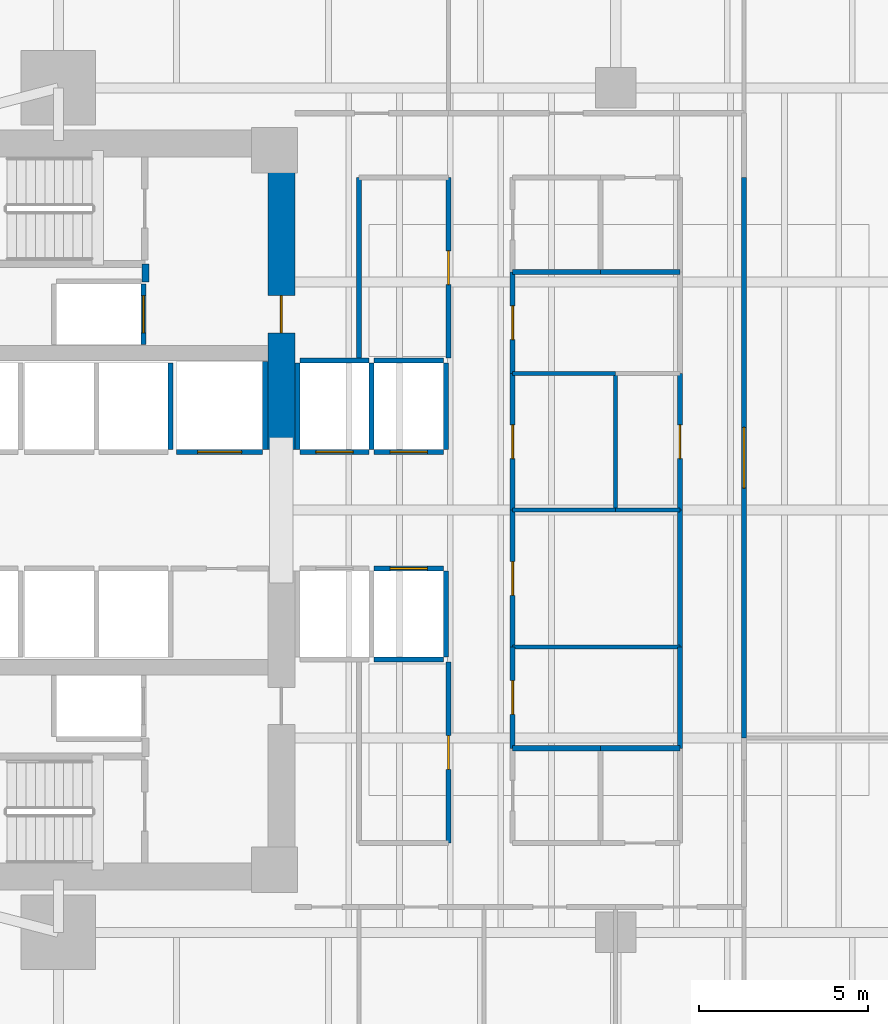
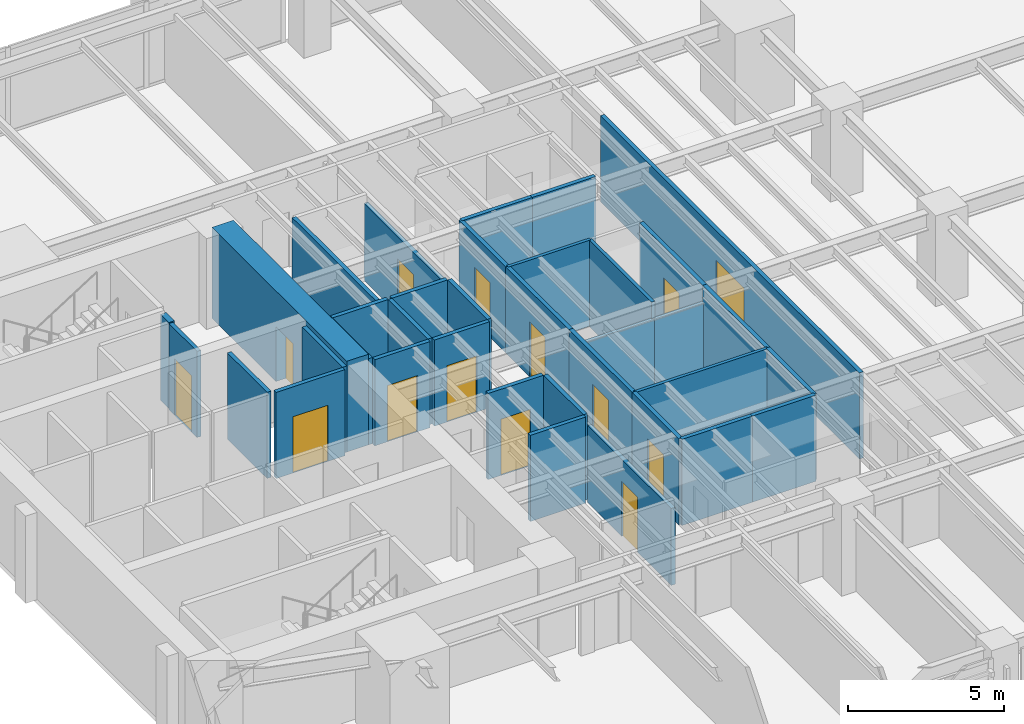
# One storey, part 9 of 15: 36 walls, 14 doors, 14 openings.
"""IFC4 building model written with IfcOpenShell, lengths in metres."""

from ifc_helpers import new_model, si_unit, direction, frame, frame_2d, origin, place, context, subcontext, project, spatial, rectangle, extrude, material, layer, layer_set, type_object, element, fill, save


model = new_model("IFC4")

# Units and contexts
model_context = context("Model", 3, precision=1e-05, world=origin(), true_north=direction((0.0, 1.0)))
body_context = subcontext(model_context, "Body", "Model", "MODEL_VIEW")
ifc_project = project(units=[si_unit("LENGTHUNIT", "METRE"), si_unit("AREAUNIT", "SQUARE_METRE"), si_unit("VOLUMEUNIT", "CUBIC_METRE"), si_unit("PLANEANGLEUNIT", "RADIAN"), si_unit("MASSUNIT", "GRAM", prefix="KILO")], contexts=[model_context])

# Site, building, storey
site_placement = place(None, origin())
site = spatial("IfcSite", under=ifc_project, at=site_placement, CompositionType="ELEMENT")
building_placement = place(site_placement, origin())
building = spatial("IfcBuilding", under=site, at=building_placement, Name="Kinhvarn Gate Tower", CompositionType="ELEMENT")
storey_placement = place(building_placement, frame((0.0, 0.0, 85.949951171875)))
storey = spatial("IfcBuildingStorey", under=building, at=storey_placement, Name="L22", CompositionType="ELEMENT", Elevation=85.949951171875)

# Wall, opening, door
ifc_material_1 = material(Name="Concrete C70/85", Category="concrete")
ifc_layer_1 = layer(ifc_material_1, 0.800048828125)
ifc_layer_set_1 = layer_set([ifc_layer_1], Name="Concrete C70/85")
wall_type_1 = type_object("IfcWallType", Name="WL-CORE-800", PredefinedType="SHEAR", material=ifc_layer_set_1)
wall_1_placement = place(storey_placement, frame((17.60009765625, 27.050048828125, 0.0), z_axis=(0.0, 0.0, 1.0), x_axis=(0.0, 1.0, 0.0)))
wall_1 = element("IfcWall", 1, at=wall_1_placement, inside=storey, type_object=wall_type_1, Name="Core East-North Shear Pier L22 800 mm", PredefinedType="SHEAR", context=body_context, shape_type="SweptSolid", body=[
    extrude(rectangle(XDim=8.64990234375, YDim=0.800048828125, at=frame_2d((4.324951171875, 0.0))), origin(), (0.0, 0.0, 1.0), 3.550048828125),
])
opening_1_placement = place(wall_1_placement, frame((3.449951171875, 0.0, 0.0)))
opening_1 = element("IfcOpeningElement", 2, at=opening_1_placement, cuts=wall_1, Name="Opening FD-02", PredefinedType="OPENING", context=body_context, shape_type="SweptSolid", body=[
    extrude(rectangle(XDim=1.10009765625, YDim=2.14990234375, at=frame_2d((0.550048828125, 1.074951171875))), frame((0.0, 0.41015625, 0.0), z_axis=(0.0, -1.0, 0.0), x_axis=(1.0, 0.0, 0.0)), (0.0, 0.0, 1.0), 0.820068359375),
])
ifc_material_2 = material(Name="Anodised aluminium AW-6063", Category="aluminium")
door_type_1 = type_object("IfcDoorType", Name="DR-FD-1100", OperationType="NOTDEFINED", PredefinedType="DOOR", material=ifc_material_2)
door_1_placement = place(opening_1_placement, origin())
door_1 = element("IfcDoor", 3, at=door_1_placement, inside=storey, type_object=door_type_1, Name="Firefighting Lobby Core Door (L22)", OperationType="SINGLE_SWING_LEFT", OverallHeight=2.14990234375, OverallWidth=1.10009765625, PredefinedType="DOOR", context=body_context, shape_type="SweptSolid", body=[
    extrude(rectangle(XDim=1.10009765625, YDim=2.14990234375, at=frame_2d((0.550048828125, 1.074951171875))), frame((0.0, 0.02490234375, 0.0), z_axis=(0.0, -1.0, 0.0), x_axis=(1.0, 0.0, 0.0)), (0.0, 0.0, 1.0), 0.050048828125),
])
fill(opening_1, door_1)

# Walls
ifc_material_3 = material(Name="Gypsum acoustic partition board")
ifc_layer_2 = layer(ifc_material_3, 0.14990234375)
ifc_layer_set_2 = layer_set([ifc_layer_2], Name="Gypsum acoustic partition board")
wall_type_2 = type_object("IfcWallType", Name="WL-PLM-150", PredefinedType="PLUMBINGWALL", material=ifc_layer_set_2)
wall_2_placement = place(storey_placement, frame((24.449951171875, 18.199951171875, 0.0), z_axis=(0.0, 0.0, 1.0), x_axis=(1.0, 0.0, 0.0)))
element("IfcWall", 4, at=wall_2_placement, inside=storey, type_object=wall_type_2, Name="Interior Partition PLW-150 (L22)", PredefinedType="PLUMBINGWALL", context=body_context, shape_type="SweptSolid", body=[
    extrude(rectangle(XDim=2.60009765625, YDim=0.14990234375, at=frame_2d((1.300048828125, 0.0))), origin(), (0.0, 0.0, 1.0), 3.3701171875),
])
wall_3_placement = place(storey_placement, frame((27.050048828125, 18.199951171875, 0.0), z_axis=(0.0, 0.0, 1.0), x_axis=(1.0, 0.0, 0.0)))
element("IfcWall", 5, at=wall_3_placement, inside=storey, type_object=wall_type_2, Name="Interior Partition PLW-150 (L22)", PredefinedType="PLUMBINGWALL", context=body_context, shape_type="SweptSolid", body=[
    extrude(rectangle(XDim=2.349853515625, YDim=0.14990234375, at=frame_2d((1.1748046875, 0.0))), origin(), (0.0, 0.0, 1.0), 3.3701171875),
])
wall_4_placement = place(storey_placement, frame((24.449951171875, 32.300048828125, 0.0), z_axis=(0.0, 0.0, 1.0), x_axis=(1.0, 0.0, 0.0)))
element("IfcWall", 6, at=wall_4_placement, inside=storey, type_object=wall_type_2, Name="Interior Partition PLW-150 (L22)", PredefinedType="PLUMBINGWALL", context=body_context, shape_type="SweptSolid", body=[
    extrude(rectangle(XDim=2.60009765625, YDim=0.14990234375, at=frame_2d((1.300048828125, 0.0))), origin(), (0.0, 0.0, 1.0), 3.3701171875),
])
wall_5_placement = place(storey_placement, frame((27.050048828125, 32.300048828125, 0.0), z_axis=(0.0, 0.0, 1.0), x_axis=(1.0, 0.0, 0.0)))
element("IfcWall", 7, at=wall_5_placement, inside=storey, type_object=wall_type_2, Name="Interior Partition PLW-150 (L22)", PredefinedType="PLUMBINGWALL", context=body_context, shape_type="SweptSolid", body=[
    extrude(rectangle(XDim=2.349853515625, YDim=0.14990234375, at=frame_2d((1.1748046875, 0.0))), origin(), (0.0, 0.0, 1.0), 3.3701171875),
])
ifc_layer_3 = layer(ifc_material_3, 0.1201171875)
ifc_layer_set_3 = layer_set([ifc_layer_3], Name="Gypsum acoustic partition board")
wall_type_3 = type_object("IfcWallType", Name="WL-PRT-120", PredefinedType="PARTITIONING", material=ifc_layer_set_3)
wall_6_placement = place(storey_placement, frame((24.449951171875, 21.199951171875, 0.0), z_axis=(0.0, 0.0, 1.0), x_axis=(1.0, 0.0, 0.0)))
element("IfcWall", 8, at=wall_6_placement, inside=storey, type_object=wall_type_3, Name="Interior Partition PW-120 (L22)", PredefinedType="PARTITIONING", context=body_context, shape_type="SweptSolid", body=[
    extrude(rectangle(XDim=4.949951171875, YDim=0.1201171875, at=frame_2d((2.47509765625, 0.0))), origin(), (0.0, 0.0, 1.0), 3.3701171875),
])
wall_7_placement = place(storey_placement, frame((24.449951171875, 29.300048828125, 0.0), z_axis=(0.0, 0.0, 1.0), x_axis=(1.0, 0.0, 0.0)))
element("IfcWall", 9, at=wall_7_placement, inside=storey, type_object=wall_type_3, Name="Interior Partition PW-120 (L22)", PredefinedType="PARTITIONING", context=body_context, shape_type="SweptSolid", body=[
    extrude(rectangle(XDim=3.050048828125, YDim=0.1201171875, at=frame_2d((1.52490234375, 0.0))), origin(), (0.0, 0.0, 1.0), 3.3701171875),
])
wall_8_placement = place(storey_placement, frame((24.449951171875, 25.25, 0.0), z_axis=(0.0, 0.0, 1.0), x_axis=(1.0, 0.0, 0.0)))
element("IfcWall", 10, at=wall_8_placement, inside=storey, type_object=wall_type_3, Name="Interior Partition PW-120 (L22)", PredefinedType="PARTITIONING", context=body_context, shape_type="SweptSolid", body=[
    extrude(rectangle(XDim=3.050048828125, YDim=0.1201171875, at=frame_2d((1.52490234375, 0.0))), origin(), (0.0, 0.0, 1.0), 2.719970703125),
])
wall_9_placement = place(storey_placement, frame((27.5, 25.25, 0.0), z_axis=(0.0, 0.0, 1.0), x_axis=(1.0, 0.0, 0.0)))
element("IfcWall", 11, at=wall_9_placement, inside=storey, type_object=wall_type_3, Name="Interior Partition PW-120 (L22)", PredefinedType="PARTITIONING", context=body_context, shape_type="SweptSolid", body=[
    extrude(rectangle(XDim=1.89990234375, YDim=0.1201171875, at=frame_2d((0.949951171875, 0.0))), origin(), (0.0, 0.0, 1.0), 2.719970703125),
])
wall_10_placement = place(storey_placement, frame((27.5, 25.25, 0.0), z_axis=(0.0, 0.0, 1.0), x_axis=(0.0, 1.0, 0.0)))
element("IfcWall", 12, at=wall_10_placement, inside=storey, type_object=wall_type_3, Name="Interior Partition PW-120 (L22)", PredefinedType="PARTITIONING", context=body_context, shape_type="SweptSolid", body=[
    extrude(rectangle(XDim=4.050048828125, YDim=0.1201171875, at=frame_2d((2.02490234375, 0.0))), origin(), (0.0, 0.0, 1.0), 3.3701171875),
])

# Wall, opening, door
ifc_layer_4 = layer(ifc_material_3, 0.14990234375)
ifc_layer_set_4 = layer_set([ifc_layer_4], Name="Gypsum acoustic partition board")
wall_type_4 = type_object("IfcWallType", Name="WL-PRT-150F", PredefinedType="PARTITIONING", material=ifc_layer_set_4)
wall_11_placement = place(storey_placement, frame((22.550048828125, 15.39990234375, 0.0), z_axis=(0.0, 0.0, 1.0), x_axis=(0.0, 1.0, 0.0)))
wall_11 = element("IfcWall", 13, at=wall_11_placement, inside=storey, type_object=wall_type_4, Name="Interior Partition PW-150F (L22)", PredefinedType="PARTITIONING", context=body_context, shape_type="SweptSolid", body=[
    extrude(rectangle(XDim=5.35009765625, YDim=0.14990234375, at=frame_2d((2.675048828125, 0.0))), origin(), (0.0, 0.0, 1.0), 3.010009765625),
])
opening_2_placement = place(wall_11_placement, frame((2.175048828125, 0.0, 0.0)))
opening_2 = element("IfcOpeningElement", 14, at=opening_2_placement, cuts=wall_11, Name="Opening ID-02", PredefinedType="OPENING", context=body_context, shape_type="SweptSolid", body=[
    extrude(rectangle(XDim=1.0, YDim=2.14990234375, at=frame_2d((0.5, 1.074951171875))), frame((0.0, 0.0849609375, 0.0), z_axis=(0.0, -1.0, 0.0), x_axis=(1.0, 0.0, 0.0)), (0.0, 0.0, 1.0), 0.169921875),
])
door_type_2 = type_object("IfcDoorType", Name="DR-INT-1000", OperationType="NOTDEFINED", PredefinedType="DOOR", material=ifc_material_2)
door_2_placement = place(opening_2_placement, origin())
door_2 = element("IfcDoor", 15, at=door_2_placement, inside=storey, type_object=door_type_2, Name="Standard Office & Meeting Room Door 1000x2150 mm (L22)", OperationType="SINGLE_SWING_LEFT", OverallHeight=2.14990234375, OverallWidth=1.0, PredefinedType="DOOR", context=body_context, shape_type="SweptSolid", body=[
    extrude(rectangle(XDim=1.0, YDim=2.14990234375, at=frame_2d((0.5, 1.074951171875))), frame((0.0, 0.02490234375, 0.0), z_axis=(0.0, -1.0, 0.0), x_axis=(1.0, 0.0, 0.0)), (0.0, 0.0, 1.0), 0.050048828125),
])
fill(opening_2, door_2)

wall_12_placement = place(storey_placement, frame((22.550048828125, 29.75, 0.0), z_axis=(0.0, 0.0, 1.0), x_axis=(0.0, 1.0, 0.0)))
wall_12 = element("IfcWall", 16, at=wall_12_placement, inside=storey, type_object=wall_type_4, Name="Interior Partition PW-150F (L22)", PredefinedType="PARTITIONING", context=body_context, shape_type="SweptSolid", body=[
    extrude(rectangle(XDim=5.35009765625, YDim=0.14990234375, at=frame_2d((2.675048828125, 0.0))), origin(), (0.0, 0.0, 1.0), 3.010009765625),
])
opening_3_placement = place(wall_12_placement, frame((2.175048828125, 0.0, 0.0)))
opening_3 = element("IfcOpeningElement", 17, at=opening_3_placement, cuts=wall_12, Name="Opening ID-02", PredefinedType="OPENING", context=body_context, shape_type="SweptSolid", body=[
    extrude(rectangle(XDim=1.0, YDim=2.14990234375, at=frame_2d((0.5, 1.074951171875))), frame((0.0, 0.0849609375, 0.0), z_axis=(0.0, -1.0, 0.0), x_axis=(1.0, 0.0, 0.0)), (0.0, 0.0, 1.0), 0.169921875),
])
door_3_placement = place(opening_3_placement, origin())
door_3 = element("IfcDoor", 18, at=door_3_placement, inside=storey, type_object=door_type_2, Name="Standard Office & Meeting Room Door 1000x2150 mm (L22)", OperationType="SINGLE_SWING_RIGHT", OverallHeight=2.14990234375, OverallWidth=1.0, PredefinedType="DOOR", context=body_context, shape_type="SweptSolid", body=[
    extrude(rectangle(XDim=1.0, YDim=2.14990234375, at=frame_2d((0.5, 1.074951171875))), frame((0.0, 0.02490234375, 0.0), z_axis=(0.0, -1.0, 0.0), x_axis=(1.0, 0.0, 0.0)), (0.0, 0.0, 1.0), 0.050048828125),
])
fill(opening_3, door_3)

wall_13_placement = place(storey_placement, frame((24.449951171875, 18.199951171875, 0.0), z_axis=(0.0, 0.0, 1.0), x_axis=(0.0, 1.0, 0.0)))
wall_13 = element("IfcWall", 19, at=wall_13_placement, inside=storey, type_object=wall_type_4, Name="Interior Partition PW-150F (L22)", PredefinedType="PARTITIONING", context=body_context, shape_type="SweptSolid", body=[
    extrude(rectangle(XDim=3.0, YDim=0.14990234375, at=frame_2d((1.5, 0.0))), origin(), (0.0, 0.0, 1.0), 3.3701171875),
])
opening_4_placement = place(wall_13_placement, frame((1.0, 0.0, 0.0)))
opening_4 = element("IfcOpeningElement", 20, at=opening_4_placement, cuts=wall_13, Name="Opening ID-02", PredefinedType="OPENING", context=body_context, shape_type="SweptSolid", body=[
    extrude(rectangle(XDim=1.0, YDim=2.14990234375, at=frame_2d((0.5, 1.074951171875))), frame((0.0, 0.0849609375, 0.0), z_axis=(0.0, -1.0, 0.0), x_axis=(1.0, 0.0, 0.0)), (0.0, 0.0, 1.0), 0.169921875),
])
door_4_placement = place(opening_4_placement, origin())
door_4 = element("IfcDoor", 21, at=door_4_placement, inside=storey, type_object=door_type_2, Name="Standard Office & Meeting Room Door 1000x2150 mm (L22)", OperationType="SINGLE_SWING_LEFT", OverallHeight=2.14990234375, OverallWidth=1.0, PredefinedType="DOOR", context=body_context, shape_type="SweptSolid", body=[
    extrude(rectangle(XDim=1.0, YDim=2.14990234375, at=frame_2d((0.5, 1.074951171875))), frame((0.0, 0.02490234375, 0.0), z_axis=(0.0, -1.0, 0.0), x_axis=(1.0, 0.0, 0.0)), (0.0, 0.0, 1.0), 0.050048828125),
])
fill(opening_4, door_4)

wall_14_placement = place(storey_placement, frame((24.449951171875, 29.300048828125, 0.0), z_axis=(0.0, 0.0, 1.0), x_axis=(0.0, 1.0, 0.0)))
wall_14 = element("IfcWall", 22, at=wall_14_placement, inside=storey, type_object=wall_type_4, Name="Interior Partition PW-150F (L22)", PredefinedType="PARTITIONING", context=body_context, shape_type="SweptSolid", body=[
    extrude(rectangle(XDim=3.0, YDim=0.14990234375, at=frame_2d((1.5, 0.0))), origin(), (0.0, 0.0, 1.0), 3.3701171875),
])
opening_5_placement = place(wall_14_placement, frame((1.0, 0.0, 0.0)))
opening_5 = element("IfcOpeningElement", 23, at=opening_5_placement, cuts=wall_14, Name="Opening ID-02", PredefinedType="OPENING", context=body_context, shape_type="SweptSolid", body=[
    extrude(rectangle(XDim=1.0, YDim=2.14990234375, at=frame_2d((0.5, 1.074951171875))), frame((0.0, 0.0849609375, 0.0), z_axis=(0.0, -1.0, 0.0), x_axis=(1.0, 0.0, 0.0)), (0.0, 0.0, 1.0), 0.169921875),
])
door_5_placement = place(opening_5_placement, origin())
door_5 = element("IfcDoor", 24, at=door_5_placement, inside=storey, type_object=door_type_2, Name="Standard Office & Meeting Room Door 1000x2150 mm (L22)", OperationType="SINGLE_SWING_RIGHT", OverallHeight=2.14990234375, OverallWidth=1.0, PredefinedType="DOOR", context=body_context, shape_type="SweptSolid", body=[
    extrude(rectangle(XDim=1.0, YDim=2.14990234375, at=frame_2d((0.5, 1.074951171875))), frame((0.0, 0.02490234375, 0.0), z_axis=(0.0, -1.0, 0.0), x_axis=(1.0, 0.0, 0.0)), (0.0, 0.0, 1.0), 0.050048828125),
])
fill(opening_5, door_5)

wall_15_placement = place(storey_placement, frame((24.449951171875, 21.199951171875, 0.0), z_axis=(0.0, 0.0, 1.0), x_axis=(0.0, 1.0, 0.0)))
wall_15 = element("IfcWall", 25, at=wall_15_placement, inside=storey, type_object=wall_type_4, Name="Interior Partition PW-150F (L22)", PredefinedType="PARTITIONING", context=body_context, shape_type="SweptSolid", body=[
    extrude(rectangle(XDim=4.050048828125, YDim=0.14990234375, at=frame_2d((2.02490234375, 0.0))), origin(), (0.0, 0.0, 1.0), 3.3701171875),
])
opening_6_placement = place(wall_15_placement, frame((1.52490234375, 0.0, 0.0)))
opening_6 = element("IfcOpeningElement", 26, at=opening_6_placement, cuts=wall_15, Name="Opening ID-02", PredefinedType="OPENING", context=body_context, shape_type="SweptSolid", body=[
    extrude(rectangle(XDim=1.0, YDim=2.14990234375, at=frame_2d((0.5, 1.074951171875))), frame((0.0, 0.0849609375, 0.0), z_axis=(0.0, -1.0, 0.0), x_axis=(1.0, 0.0, 0.0)), (0.0, 0.0, 1.0), 0.169921875),
])
door_6_placement = place(opening_6_placement, origin())
door_6 = element("IfcDoor", 27, at=door_6_placement, inside=storey, type_object=door_type_2, Name="Standard Office & Meeting Room Door 1000x2150 mm (L22)", OperationType="SINGLE_SWING_LEFT", OverallHeight=2.14990234375, OverallWidth=1.0, PredefinedType="DOOR", context=body_context, shape_type="SweptSolid", body=[
    extrude(rectangle(XDim=1.0, YDim=2.14990234375, at=frame_2d((0.5, 1.074951171875))), frame((0.0, 0.02490234375, 0.0), z_axis=(0.0, -1.0, 0.0), x_axis=(1.0, 0.0, 0.0)), (0.0, 0.0, 1.0), 0.050048828125),
])
fill(opening_6, door_6)

wall_16_placement = place(storey_placement, frame((24.449951171875, 25.25, 0.0), z_axis=(0.0, 0.0, 1.0), x_axis=(0.0, 1.0, 0.0)))
wall_16 = element("IfcWall", 28, at=wall_16_placement, inside=storey, type_object=wall_type_4, Name="Interior Partition PW-150F (L22)", PredefinedType="PARTITIONING", context=body_context, shape_type="SweptSolid", body=[
    extrude(rectangle(XDim=4.050048828125, YDim=0.14990234375, at=frame_2d((2.02490234375, 0.0))), origin(), (0.0, 0.0, 1.0), 3.3701171875),
])
opening_7_placement = place(wall_16_placement, frame((1.52490234375, 0.0, 0.0)))
opening_7 = element("IfcOpeningElement", 29, at=opening_7_placement, cuts=wall_16, Name="Opening ID-02", PredefinedType="OPENING", context=body_context, shape_type="SweptSolid", body=[
    extrude(rectangle(XDim=1.0, YDim=2.14990234375, at=frame_2d((0.5, 1.074951171875))), frame((0.0, 0.0849609375, 0.0), z_axis=(0.0, -1.0, 0.0), x_axis=(1.0, 0.0, 0.0)), (0.0, 0.0, 1.0), 0.169921875),
])
door_7_placement = place(opening_7_placement, origin())
door_7 = element("IfcDoor", 30, at=door_7_placement, inside=storey, type_object=door_type_2, Name="Standard Office & Meeting Room Door 1000x2150 mm (L22)", OperationType="SINGLE_SWING_RIGHT", OverallHeight=2.14990234375, OverallWidth=1.0, PredefinedType="DOOR", context=body_context, shape_type="SweptSolid", body=[
    extrude(rectangle(XDim=1.0, YDim=2.14990234375, at=frame_2d((0.5, 1.074951171875))), frame((0.0, 0.02490234375, 0.0), z_axis=(0.0, -1.0, 0.0), x_axis=(1.0, 0.0, 0.0)), (0.0, 0.0, 1.0), 0.050048828125),
])
fill(opening_7, door_7)

# Walls
wall_17_placement = place(storey_placement, frame((19.89990234375, 29.75, 0.0), z_axis=(0.0, 0.0, 1.0), x_axis=(0.0, 1.0, 0.0)))
element("IfcWall", 31, at=wall_17_placement, inside=storey, type_object=wall_type_4, Name="Interior Partition PW-150F (L22)", PredefinedType="PARTITIONING", context=body_context, shape_type="SweptSolid", body=[
    extrude(rectangle(XDim=5.35009765625, YDim=0.14990234375, at=frame_2d((2.675048828125, 0.0))), origin(), (0.0, 0.0, 1.0), 3.3701171875),
])
wall_18_placement = place(storey_placement, frame((29.39990234375, 18.199951171875, 0.0), z_axis=(0.0, 0.0, 1.0), x_axis=(0.0, 1.0, 0.0)))
element("IfcWall", 32, at=wall_18_placement, inside=storey, type_object=wall_type_4, Name="Interior Partition PW-150F (L22)", PredefinedType="PARTITIONING", context=body_context, shape_type="SweptSolid", body=[
    extrude(rectangle(XDim=3.0, YDim=0.14990234375, at=frame_2d((1.5, 0.0))), origin(), (0.0, 0.0, 1.0), 3.3701171875),
])
wall_19_placement = place(storey_placement, frame((29.39990234375, 21.199951171875, 0.0), z_axis=(0.0, 0.0, 1.0), x_axis=(0.0, 1.0, 0.0)))
element("IfcWall", 33, at=wall_19_placement, inside=storey, type_object=wall_type_4, Name="Interior Partition PW-150F (L22)", PredefinedType="PARTITIONING", context=body_context, shape_type="SweptSolid", body=[
    extrude(rectangle(XDim=4.050048828125, YDim=0.14990234375, at=frame_2d((2.02490234375, 0.0))), origin(), (0.0, 0.0, 1.0), 3.3701171875),
])

# Wall, opening, door
wall_20_placement = place(storey_placement, frame((29.39990234375, 25.25, 0.0), z_axis=(0.0, 0.0, 1.0), x_axis=(0.0, 1.0, 0.0)))
wall_20 = element("IfcWall", 34, at=wall_20_placement, inside=storey, type_object=wall_type_4, Name="Interior Partition PW-150F (L22)", PredefinedType="PARTITIONING", context=body_context, shape_type="SweptSolid", body=[
    extrude(rectangle(XDim=4.050048828125, YDim=0.14990234375, at=frame_2d((2.02490234375, 0.0))), origin(), (0.0, 0.0, 1.0), 3.3701171875),
])
opening_8_placement = place(wall_20_placement, frame((1.52490234375, 0.0, 0.0)))
opening_8 = element("IfcOpeningElement", 35, at=opening_8_placement, cuts=wall_20, Name="Opening ID-02", PredefinedType="OPENING", context=body_context, shape_type="SweptSolid", body=[
    extrude(rectangle(XDim=1.0, YDim=2.14990234375, at=frame_2d((0.5, 1.074951171875))), frame((0.0, 0.0849609375, 0.0), z_axis=(0.0, -1.0, 0.0), x_axis=(1.0, 0.0, 0.0)), (0.0, 0.0, 1.0), 0.169921875),
])
door_8_placement = place(opening_8_placement, origin())
door_8 = element("IfcDoor", 36, at=door_8_placement, inside=storey, type_object=door_type_2, Name="Standard Office & Meeting Room Door 1000x2150 mm (L22)", OperationType="SINGLE_SWING_LEFT", OverallHeight=2.14990234375, OverallWidth=1.0, PredefinedType="DOOR", context=body_context, shape_type="SweptSolid", body=[
    extrude(rectangle(XDim=1.0, YDim=2.14990234375, at=frame_2d((0.5, 1.074951171875))), frame((0.0, 0.02490234375, 0.0), z_axis=(0.0, -1.0, 0.0), x_axis=(1.0, 0.0, 0.0)), (0.0, 0.0, 1.0), 0.050048828125),
])
fill(opening_8, door_8)

wall_21_placement = place(storey_placement, frame((31.300048828125, 18.5, 0.0), z_axis=(0.0, 0.0, 1.0), x_axis=(0.0, 1.0, 0.0)))
wall_21 = element("IfcWall", 37, at=wall_21_placement, inside=storey, type_object=wall_type_4, Name="Interior Partition PW-150F (L22)", PredefinedType="PARTITIONING", context=body_context, shape_type="SweptSolid", body=[
    extrude(rectangle(XDim=16.60009765625, YDim=0.14990234375, at=frame_2d((8.300048828125, 0.0))), origin(), (0.0, 0.0, 1.0), 3.3701171875),
])
opening_9_placement = place(wall_21_placement, frame((7.39990234375, 0.0, 0.0)))
opening_9 = element("IfcOpeningElement", 38, at=opening_9_placement, cuts=wall_21, Name="Opening ID-04", PredefinedType="OPENING", context=body_context, shape_type="SweptSolid", body=[
    extrude(rectangle(XDim=1.800048828125, YDim=2.199951171875, at=frame_2d((0.89990234375, 1.10009765625))), frame((0.0, 0.0849609375, 0.0), z_axis=(0.0, -1.0, 0.0), x_axis=(1.0, 0.0, 0.0)), (0.0, 0.0, 1.0), 0.169921875),
])
ifc_material_4 = material(Name="Clear low-e double glazing", Category="glass")
door_type_3 = type_object("IfcDoorType", Name="DR-GLZ-1800", OperationType="NOTDEFINED", PredefinedType="DOOR", material=ifc_material_4)
door_9_placement = place(opening_9_placement, origin())
door_9 = element("IfcDoor", 39, at=door_9_placement, inside=storey, type_object=door_type_3, Name="Double Glazed Forum & Sky-Lobby Door 1800x2200 mm (L22)", OperationType="DOUBLE_DOOR_SINGLE_SWING", OverallHeight=2.199951171875, OverallWidth=1.800048828125, PredefinedType="DOOR", context=body_context, shape_type="SweptSolid", body=[
    extrude(rectangle(XDim=1.800048828125, YDim=2.199951171875, at=frame_2d((0.89990234375, 1.10009765625))), frame((0.0, 0.02490234375, 0.0), z_axis=(0.0, -1.0, 0.0), x_axis=(1.0, 0.0, 0.0)), (0.0, 0.0, 1.0), 0.050048828125),
])
fill(opening_9, door_9)

# Walls
ifc_layer_5 = layer(ifc_material_3, 0.199951171875)
ifc_layer_set_5 = layer_set([ifc_layer_5], Name="Gypsum acoustic partition board")
wall_type_5 = type_object("IfcWallType", Name="WL-PRT-200", PredefinedType="PARTITIONING", material=ifc_layer_set_5)
wall_22_placement = place(storey_placement, frame((13.580078125, 32.0, 0.0), z_axis=(0.0, 0.0, 1.0), x_axis=(0.0, 1.0, 0.0)))
element("IfcWall", 40, at=wall_22_placement, inside=storey, type_object=wall_type_5, Name="Interior Partition PW-200 (L22)", PredefinedType="PARTITIONING", context=body_context, shape_type="SweptSolid", body=[
    extrude(rectangle(XDim=0.5400390625, YDim=0.199951171875, at=frame_2d((0.27001953125, 0.0))), origin(), (0.0, 0.0, 1.0), 3.3701171875),
])
ifc_layer_6 = layer(ifc_material_3, 0.14990234375)
ifc_layer_set_6 = layer_set([ifc_layer_6], Name="Gypsum acoustic partition board")
wall_type_6 = type_object("IfcWallType", Name="WL-SHF-150", PredefinedType="PARTITIONING", material=ifc_layer_set_6)
wall_23_placement = place(storey_placement, frame((20.35009765625, 20.824951171875, 0.0), z_axis=(0.0, 0.0, 1.0), x_axis=(1.0, 0.0, 0.0)))
element("IfcWall", 41, at=wall_23_placement, inside=storey, type_object=wall_type_6, Name="Elevator PL-02 Hoistway Wall S (L22)", PredefinedType="PARTITIONING", context=body_context, shape_type="SweptSolid", body=[
    extrude(rectangle(XDim=2.0498046875, YDim=0.14990234375, at=frame_2d((1.02490234375, 0.0))), origin(), (0.0, 0.0, 1.0), 3.3701171875),
])

# Wall, opening, door
wall_24_placement = place(storey_placement, frame((20.35009765625, 23.52490234375, 0.0), z_axis=(0.0, 0.0, 1.0), x_axis=(1.0, 0.0, 0.0)))
wall_24 = element("IfcWall", 42, at=wall_24_placement, inside=storey, type_object=wall_type_6, Name="Elevator PL-02 Landing Wall (L22)", PredefinedType="PARTITIONING", context=body_context, shape_type="SweptSolid", body=[
    extrude(rectangle(XDim=2.0498046875, YDim=0.14990234375, at=frame_2d((1.02490234375, 0.0))), origin(), (0.0, 0.0, 1.0), 3.3701171875),
])
opening_10_placement = place(wall_24_placement, frame((0.47509765625, 0.0, 0.0)))
opening_10 = element("IfcOpeningElement", 43, at=opening_10_placement, cuts=wall_24, Name="Opening LD-01", PredefinedType="OPENING", context=body_context, shape_type="SweptSolid", body=[
    extrude(rectangle(XDim=1.10009765625, YDim=2.199951171875, at=frame_2d((0.550048828125, 1.10009765625))), frame((0.0, 0.0849609375, 0.0), z_axis=(0.0, -1.0, 0.0), x_axis=(1.0, 0.0, 0.0)), (0.0, 0.0, 1.0), 0.169921875),
])
door_type_4 = type_object("IfcDoorType", Name="DR-LND-PAS", OperationType="NOTDEFINED", PredefinedType="DOOR", material=ifc_material_2)
door_10_placement = place(opening_10_placement, origin())
door_10 = element("IfcDoor", 44, at=door_10_placement, inside=storey, type_object=door_type_4, Name="Elevator PL-02 Sliding Landing Door (L22)", OperationType="DOUBLE_DOOR_SLIDING", OverallHeight=2.199951171875, OverallWidth=1.10009765625, PredefinedType="DOOR", context=body_context, shape_type="SweptSolid", body=[
    extrude(rectangle(XDim=1.10009765625, YDim=2.199951171875, at=frame_2d((0.550048828125, 1.10009765625))), frame((0.0, 0.02490234375, 0.0), z_axis=(0.0, -1.0, 0.0), x_axis=(1.0, 0.0, 0.0)), (0.0, 0.0, 1.0), 0.050048828125),
])
fill(opening_10, door_10)

# Wall
wall_25_placement = place(storey_placement, frame((22.47509765625, 20.89990234375, 0.0), z_axis=(0.0, 0.0, 1.0), x_axis=(0.0, 1.0, 0.0)))
element("IfcWall", 45, at=wall_25_placement, inside=storey, type_object=wall_type_6, Name="Elevator PL-02 Hoistway Wall E (L22)", PredefinedType="PARTITIONING", context=body_context, shape_type="SweptSolid", body=[
    extrude(rectangle(XDim=2.550048828125, YDim=0.14990234375, at=frame_2d((1.27490234375, 0.0))), origin(), (0.0, 0.0, 1.0), 3.3701171875),
])

# Wall, opening, door
wall_26_placement = place(storey_placement, frame((18.14990234375, 26.97509765625, 0.0), z_axis=(0.0, 0.0, 1.0), x_axis=(1.0, 0.0, 0.0)))
wall_26 = element("IfcWall", 46, at=wall_26_placement, inside=storey, type_object=wall_type_6, Name="Elevator PL-03 Landing Wall (L22)", PredefinedType="PARTITIONING", context=body_context, shape_type="SweptSolid", body=[
    extrude(rectangle(XDim=2.050048828125, YDim=0.14990234375, at=frame_2d((1.02490234375, 0.0))), origin(), (0.0, 0.0, 1.0), 3.3701171875),
])
opening_11_placement = place(wall_26_placement, frame((0.47509765625, 0.0, 0.0)))
opening_11 = element("IfcOpeningElement", 47, at=opening_11_placement, cuts=wall_26, Name="Opening LD-01", PredefinedType="OPENING", context=body_context, shape_type="SweptSolid", body=[
    extrude(rectangle(XDim=1.10009765625, YDim=2.199951171875, at=frame_2d((0.550048828125, 1.10009765625))), frame((0.0, 0.0849609375, 0.0), z_axis=(0.0, -1.0, 0.0), x_axis=(1.0, 0.0, 0.0)), (0.0, 0.0, 1.0), 0.169921875),
])
door_11_placement = place(opening_11_placement, origin())
door_11 = element("IfcDoor", 48, at=door_11_placement, inside=storey, type_object=door_type_4, Name="Elevator PL-03 Sliding Landing Door (L22)", OperationType="DOUBLE_DOOR_SLIDING", OverallHeight=2.199951171875, OverallWidth=1.10009765625, PredefinedType="DOOR", context=body_context, shape_type="SweptSolid", body=[
    extrude(rectangle(XDim=1.10009765625, YDim=2.199951171875, at=frame_2d((0.550048828125, 1.10009765625))), frame((0.0, 0.02490234375, 0.0), z_axis=(0.0, -1.0, 0.0), x_axis=(1.0, 0.0, 0.0)), (0.0, 0.0, 1.0), 0.050048828125),
])
fill(opening_11, door_11)

# Walls
wall_27_placement = place(storey_placement, frame((18.14990234375, 29.675048828125, 0.0), z_axis=(0.0, 0.0, 1.0), x_axis=(1.0, 0.0, 0.0)))
element("IfcWall", 49, at=wall_27_placement, inside=storey, type_object=wall_type_6, Name="Elevator PL-03 Hoistway Wall N (L22)", PredefinedType="PARTITIONING", context=body_context, shape_type="SweptSolid", body=[
    extrude(rectangle(XDim=2.050048828125, YDim=0.14990234375, at=frame_2d((1.02490234375, 0.0))), origin(), (0.0, 0.0, 1.0), 3.3701171875),
])
for number, where, z_axis, x_axis, name in (
    (50, (18.074951171875, 27.050048828125, 0.0), (0.0, 0.0, 1.0), (0.0, 1.0, 0.0), "Elevator PL-03 Hoistway Wall W (L22)"),
    (51, (20.27490234375, 27.050048828125, 0.0), (0.0, 0.0, 1.0), (0.0, 1.0, 0.0), "Elevator PL-03 Hoistway Wall E (L22)"),
):
    element("IfcWall", number, at=place(storey_placement, frame(where, z_axis=z_axis, x_axis=x_axis)), inside=storey, type_object=wall_type_6, Name=name, PredefinedType="PARTITIONING", context=body_context, shape_type="SweptSolid", body=[
        extrude(rectangle(XDim=2.550048828125, YDim=0.14990234375, at=frame_2d((1.27490234375, 0.0))), origin(), (0.0, 0.0, 1.0), 3.3701171875),
    ])

# Wall, opening, door
wall_28_placement = place(storey_placement, frame((20.35009765625, 26.97509765625, 0.0), z_axis=(0.0, 0.0, 1.0), x_axis=(1.0, 0.0, 0.0)))
wall_28 = element("IfcWall", 52, at=wall_28_placement, inside=storey, type_object=wall_type_6, Name="Elevator PL-04 Landing Wall (L22)", PredefinedType="PARTITIONING", context=body_context, shape_type="SweptSolid", body=[
    extrude(rectangle(XDim=2.0498046875, YDim=0.14990234375, at=frame_2d((1.02490234375, 0.0))), origin(), (0.0, 0.0, 1.0), 3.3701171875),
])
opening_12_placement = place(wall_28_placement, frame((0.47509765625, 0.0, 0.0)))
opening_12 = element("IfcOpeningElement", 53, at=opening_12_placement, cuts=wall_28, Name="Opening LD-01", PredefinedType="OPENING", context=body_context, shape_type="SweptSolid", body=[
    extrude(rectangle(XDim=1.10009765625, YDim=2.199951171875, at=frame_2d((0.550048828125, 1.10009765625))), frame((0.0, 0.0849609375, 0.0), z_axis=(0.0, -1.0, 0.0), x_axis=(1.0, 0.0, 0.0)), (0.0, 0.0, 1.0), 0.169921875),
])
door_12_placement = place(opening_12_placement, origin())
door_12 = element("IfcDoor", 54, at=door_12_placement, inside=storey, type_object=door_type_4, Name="Elevator PL-04 Sliding Landing Door (L22)", OperationType="DOUBLE_DOOR_SLIDING", OverallHeight=2.199951171875, OverallWidth=1.10009765625, PredefinedType="DOOR", context=body_context, shape_type="SweptSolid", body=[
    extrude(rectangle(XDim=1.10009765625, YDim=2.199951171875, at=frame_2d((0.550048828125, 1.10009765625))), frame((0.0, 0.02490234375, 0.0), z_axis=(0.0, -1.0, 0.0), x_axis=(1.0, 0.0, 0.0)), (0.0, 0.0, 1.0), 0.050048828125),
])
fill(opening_12, door_12)

# Walls
wall_29_placement = place(storey_placement, frame((20.35009765625, 29.675048828125, 0.0), z_axis=(0.0, 0.0, 1.0), x_axis=(1.0, 0.0, 0.0)))
element("IfcWall", 55, at=wall_29_placement, inside=storey, type_object=wall_type_6, Name="Elevator PL-04 Hoistway Wall N (L22)", PredefinedType="PARTITIONING", context=body_context, shape_type="SweptSolid", body=[
    extrude(rectangle(XDim=2.0498046875, YDim=0.14990234375, at=frame_2d((1.02490234375, 0.0))), origin(), (0.0, 0.0, 1.0), 3.3701171875),
])
for number, where, z_axis, x_axis, name in (
    (56, (22.47509765625, 27.050048828125, 0.0), (0.0, 0.0, 1.0), (0.0, 1.0, 0.0), "Elevator PL-04 Hoistway Wall E (L22)"),
    (57, (14.324951171875, 27.050048828125, 0.0), (0.0, 0.0, 1.0), (0.0, 1.0, 0.0), "Elevator PH-12 Hoistway Wall E (L22)"),
):
    element("IfcWall", number, at=place(storey_placement, frame(where, z_axis=z_axis, x_axis=x_axis)), inside=storey, type_object=wall_type_6, Name=name, PredefinedType="PARTITIONING", context=body_context, shape_type="SweptSolid", body=[
        extrude(rectangle(XDim=2.550048828125, YDim=0.14990234375, at=frame_2d((1.27490234375, 0.0))), origin(), (0.0, 0.0, 1.0), 3.3701171875),
    ])

# Wall, opening, door
wall_30_placement = place(storey_placement, frame((14.5, 26.97509765625, 0.0), z_axis=(0.0, 0.0, 1.0), x_axis=(1.0, 0.0, 0.0)))
wall_30 = element("IfcWall", 58, at=wall_30_placement, inside=storey, type_object=wall_type_6, Name="Elevator SV-01 Landing Wall (L22)", PredefinedType="PARTITIONING", context=body_context, shape_type="SweptSolid", body=[
    extrude(rectangle(XDim=2.550048828125, YDim=0.14990234375, at=frame_2d((1.27490234375, 0.0))), origin(), (0.0, 0.0, 1.0), 3.3701171875),
])
opening_13_placement = place(wall_30_placement, frame((0.625, 0.0, 0.0)))
opening_13 = element("IfcOpeningElement", 59, at=opening_13_placement, cuts=wall_30, Name="Opening LD-02", PredefinedType="OPENING", context=body_context, shape_type="SweptSolid", body=[
    extrude(rectangle(XDim=1.300048828125, YDim=2.199951171875, at=frame_2d((0.64990234375, 1.10009765625))), frame((0.0, 0.0849609375, 0.0), z_axis=(0.0, -1.0, 0.0), x_axis=(1.0, 0.0, 0.0)), (0.0, 0.0, 1.0), 0.169921875),
])
door_type_5 = type_object("IfcDoorType", Name="DR-LND-SRV", OperationType="NOTDEFINED", PredefinedType="DOOR", material=ifc_material_2)
door_13_placement = place(opening_13_placement, origin())
door_13 = element("IfcDoor", 60, at=door_13_placement, inside=storey, type_object=door_type_5, Name="Elevator SV-01 Sliding Landing Door (L22)", OperationType="DOUBLE_DOOR_SLIDING", OverallHeight=2.199951171875, OverallWidth=1.300048828125, PredefinedType="DOOR", context=body_context, shape_type="SweptSolid", body=[
    extrude(rectangle(XDim=1.300048828125, YDim=2.199951171875, at=frame_2d((0.64990234375, 1.10009765625))), frame((0.0, 0.02490234375, 0.0), z_axis=(0.0, -1.0, 0.0), x_axis=(1.0, 0.0, 0.0)), (0.0, 0.0, 1.0), 0.050048828125),
])
fill(opening_13, door_13)

# Wall
wall_31_placement = place(storey_placement, frame((17.125, 27.050048828125, 0.0), z_axis=(0.0, 0.0, 1.0), x_axis=(0.0, 1.0, 0.0)))
element("IfcWall", 61, at=wall_31_placement, inside=storey, type_object=wall_type_6, Name="Elevator SV-01 Hoistway Wall E (L22)", PredefinedType="PARTITIONING", context=body_context, shape_type="SweptSolid", body=[
    extrude(rectangle(XDim=2.599853515625, YDim=0.14990234375, at=frame_2d((1.2998046875, 0.0))), origin(), (0.0, 0.0, 1.0), 3.3701171875),
])

# Wall, opening, door
wall_32_placement = place(storey_placement, frame((13.52490234375, 30.14990234375, 0.0), z_axis=(0.0, 0.0, 1.0), x_axis=(0.0, 1.0, 0.0)))
wall_32 = element("IfcWall", 62, at=wall_32_placement, inside=storey, type_object=wall_type_6, Name="Elevator FF2 Landing Wall (L22)", PredefinedType="PARTITIONING", context=body_context, shape_type="SweptSolid", body=[
    extrude(rectangle(XDim=1.800048828125, YDim=0.14990234375, at=frame_2d((0.89990234375, 0.0))), origin(), (0.0, 0.0, 1.0), 3.3701171875),
])
opening_14_placement = place(wall_32_placement, frame((0.35009765625, 0.0, 0.0)))
opening_14 = element("IfcOpeningElement", 63, at=opening_14_placement, cuts=wall_32, Name="Opening LD-03", PredefinedType="OPENING", context=body_context, shape_type="SweptSolid", body=[
    extrude(rectangle(XDim=1.10009765625, YDim=2.199951171875, at=frame_2d((0.550048828125, 1.10009765625))), frame((0.0, 0.0849609375, 0.0), z_axis=(0.0, -1.0, 0.0), x_axis=(1.0, 0.0, 0.0)), (0.0, 0.0, 1.0), 0.169921875),
])
door_type_6 = type_object("IfcDoorType", Name="DR-LND-FF", OperationType="NOTDEFINED", PredefinedType="DOOR", material=ifc_material_2)
door_14_placement = place(opening_14_placement, origin())
door_14 = element("IfcDoor", 64, at=door_14_placement, inside=storey, type_object=door_type_6, Name="Elevator FF2 Sliding Landing Door (L22)", OperationType="DOUBLE_DOOR_SLIDING", OverallHeight=2.199951171875, OverallWidth=1.10009765625, PredefinedType="DOOR", context=body_context, shape_type="SweptSolid", body=[
    extrude(rectangle(XDim=1.10009765625, YDim=2.199951171875, at=frame_2d((0.550048828125, 1.10009765625))), frame((0.0, 0.02490234375, 0.0), z_axis=(0.0, -1.0, 0.0), x_axis=(1.0, 0.0, 0.0)), (0.0, 0.0, 1.0), 0.050048828125),
])
fill(opening_14, door_14)

save(model, "model.ifc")
